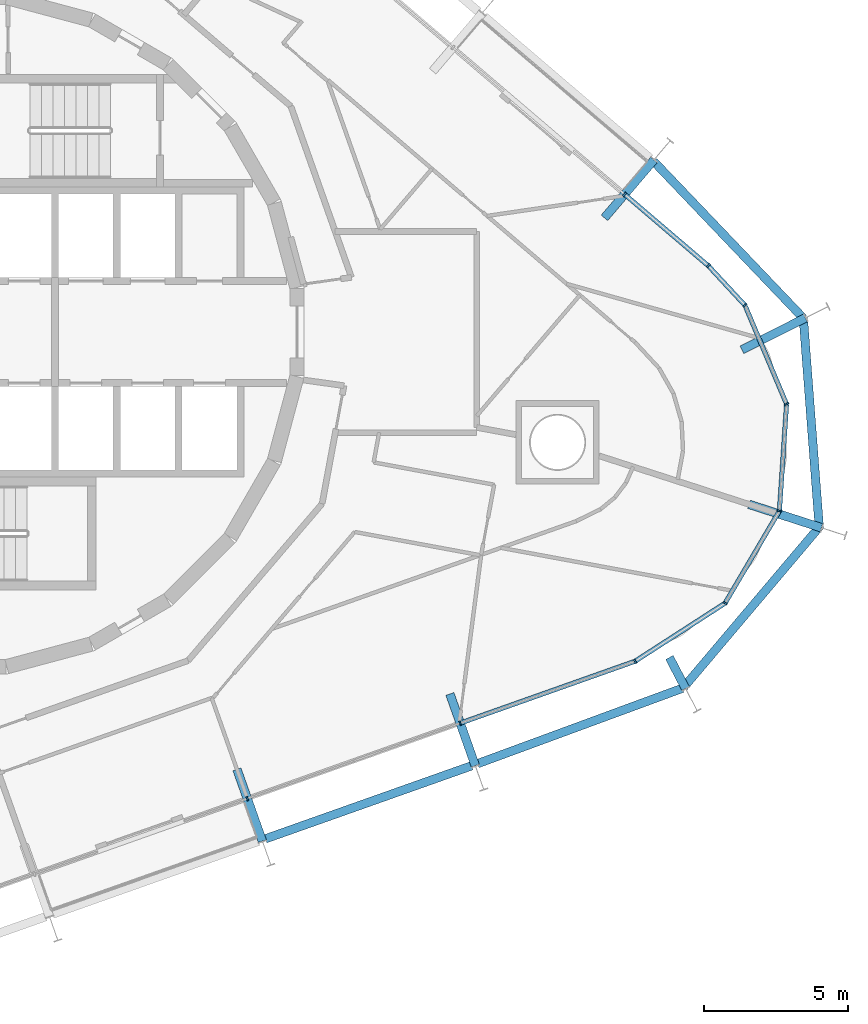
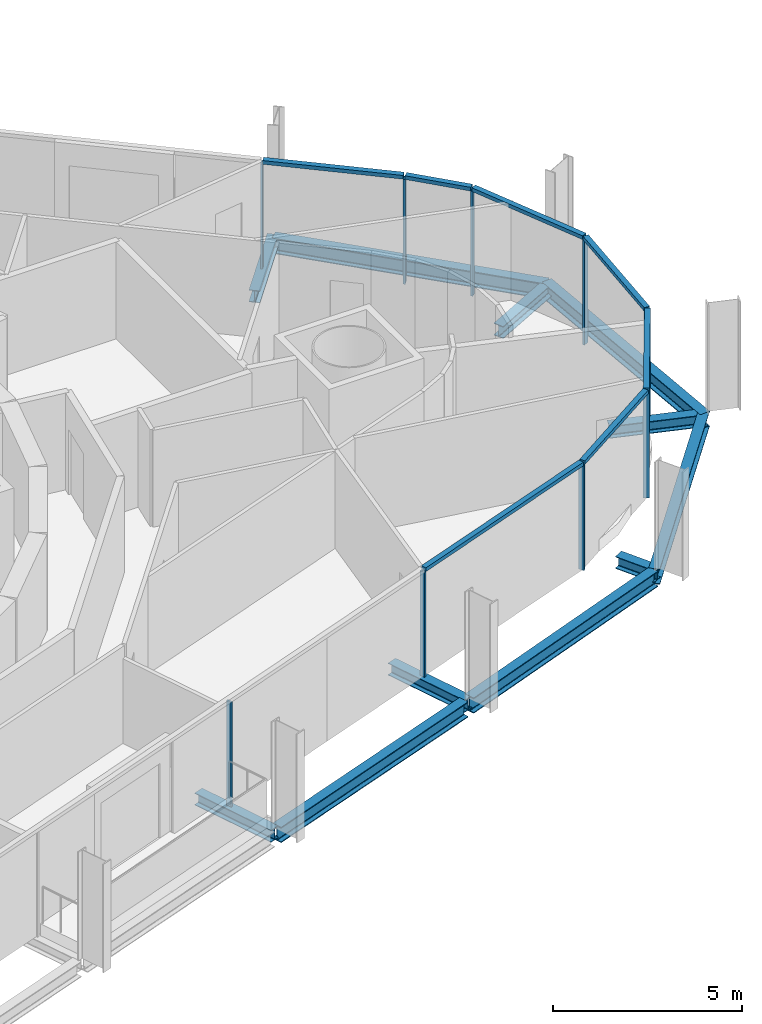
# One storey, part 5 of 17: 16 members, 11 beams, 3 elements without a shape of their own.
"""IFC4 building model written with IfcOpenShell, lengths in metres."""

from ifc_helpers import new_model, si_unit, direction, frame, origin, origin_2d, place, context, subcontext, project, spatial, rectangle, i_section, extrude, material, layer, layer_set, material_profile, profile_set, type_object, element, aggregate, save


model = new_model("IFC4")

# Units and contexts
model_context = context("Model", 3, precision=1e-05, world=origin(), true_north=direction((0.0, 1.0)))
body_context = subcontext(model_context, "Body", "Model", "MODEL_VIEW")
ifc_project = project(units=[si_unit("LENGTHUNIT", "METRE"), si_unit("AREAUNIT", "SQUARE_METRE"), si_unit("VOLUMEUNIT", "CUBIC_METRE"), si_unit("PLANEANGLEUNIT", "RADIAN"), si_unit("MASSUNIT", "GRAM", prefix="KILO")], contexts=[model_context])

# Site, building, storey
site_placement = place(None, origin())
site = spatial("IfcSite", under=ifc_project, at=site_placement, CompositionType="ELEMENT")
building_placement = place(site_placement, origin())
building = spatial("IfcBuilding", under=site, at=building_placement, Name="Spindle Arch Residences", CompositionType="ELEMENT")
storey_placement = place(building_placement, frame((0.0, 0.0, 176.199951171875)))
storey = spatial("IfcBuildingStorey", under=building, at=storey_placement, Name="L44", CompositionType="ELEMENT", Elevation=176.199951171875)

# Curtain wall, members
ifc_material_1 = material(Name="Aluminium bronze unitised frame with tinted glass", Category="aluminium")
ifc_layer_1 = layer(ifc_material_1, 0.159912109375)
ifc_layer_set_1 = layer_set([ifc_layer_1], Name="CW-D corner wall on the fillet arcs")
curtain_wall_type_1 = type_object("IfcCurtainWallType", Name="CW-D corner wall on the fillet arcs", PredefinedType="NOTDEFINED", material=ifc_layer_set_1)
curtain_wall_1_placement = place(storey_placement, origin())
curtain_wall_1 = element("IfcCurtainWall", 1, at=curtain_wall_1_placement, inside=storey, type_object=curtain_wall_type_1, Name="CW-D L44 run 1", PredefinedType="NOTDEFINED")
ifc_material_2 = material(Name="Aluminium bronze anodised mullion", Category="aluminium")
ifc_material_profile_1 = material_profile(ifc_material_2, rectangle(XDim=0.159912109375, YDim=0.06005859375, at=origin_2d()), Name="MU 60x160")
ifc_profile_set_1 = profile_set([ifc_material_profile_1], Name="Aluminium bronze anodised mullion")
member_type_1 = type_object("IfcMemberType", Name="Bronze mullion 60x160", PredefinedType="MULLION", material=ifc_profile_set_1)
member_1_placement = place(storey_placement, frame((17.326904296875, -13.609619140625, -0.3798828125), z_axis=(0.0, 0.0, 1.0), x_axis=(-0.333806859234, 0.942641491092, 0.0)))
member_1 = element("IfcMember", 2, at=member_1_placement, type_object=member_type_1, Name="CW-D mullion 00", PredefinedType="MULLION", context=body_context, shape_type="SweptSolid", body=[
    extrude(rectangle(XDim=0.159912109375, YDim=0.06005859375, at=origin_2d()), origin(), (0.0, 0.0, 1.0), 3.3798828125),
])
member_2_placement = place(storey_placement, frame((23.410400390625, -11.45556640625, -0.3798828125), z_axis=(0.0, 0.0, 1.0), x_axis=(-0.542197137778, 0.840251309898, 0.0)))
member_2 = element("IfcMember", 3, at=member_2_placement, type_object=member_type_1, Name="CW-D mullion 01", PredefinedType="MULLION", context=body_context, shape_type="SweptSolid", body=[
    extrude(rectangle(XDim=0.159912109375, YDim=0.06005859375, at=origin_2d()), origin(), (0.0, 0.0, 1.0), 3.3798828125),
])
member_3_placement = place(storey_placement, frame((26.541748046875, -9.434814453125, -0.3798828125), z_axis=(0.0, 0.0, 1.0), x_axis=(-0.86162915882, 0.507538365713, 0.0)))
member_3 = element("IfcMember", 4, at=member_3_placement, type_object=member_type_1, Name="CW-D mullion 02", PredefinedType="MULLION", context=body_context, shape_type="SweptSolid", body=[
    extrude(rectangle(XDim=0.159912109375, YDim=0.06005859375, at=origin_2d()), origin(), (0.0, 0.0, 1.0), 3.3798828125),
])
member_4_placement = place(storey_placement, frame((28.43310546875, -6.223876953125, -0.3798828125), z_axis=(0.0, 0.0, 1.0), x_axis=(-0.997762742461, 0.066854392204, 0.0)))
member_4 = element("IfcMember", 5, at=member_4_placement, type_object=member_type_1, Name="CW-D mullion 03", PredefinedType="MULLION", context=body_context, shape_type="SweptSolid", body=[
    extrude(rectangle(XDim=0.159912109375, YDim=0.06005859375, at=origin_2d()), origin(), (0.0, 0.0, 1.0), 3.3798828125),
])
member_5_placement = place(storey_placement, frame((28.682373046875, -2.50537109375, -0.3798828125), z_axis=(0.0, 0.0, 1.0), x_axis=(-0.921637549195, -0.388051836633, 0.0)))
member_5 = element("IfcMember", 6, at=member_5_placement, type_object=member_type_1, Name="CW-D mullion 04", PredefinedType="MULLION", context=body_context, shape_type="SweptSolid", body=[
    extrude(rectangle(XDim=0.159912109375, YDim=0.06005859375, at=origin_2d()), origin(), (0.0, 0.0, 1.0), 3.3798828125),
])
member_6_placement = place(storey_placement, frame((27.236083984375, 0.929443359375, -0.3798828125), z_axis=(0.0, 0.0, 1.0), x_axis=(-0.733334455983, -0.679868057543, 0.0)))
member_6 = element("IfcMember", 7, at=member_6_placement, type_object=member_type_1, Name="CW-D mullion 05", PredefinedType="MULLION", context=body_context, shape_type="SweptSolid", body=[
    extrude(rectangle(XDim=0.159912109375, YDim=0.06005859375, at=origin_2d()), origin(), (0.0, 0.0, 1.0), 3.3798828125),
])
member_7_placement = place(storey_placement, frame((25.960693359375, 2.30517578125, -0.3798828125), z_axis=(0.0, 0.0, 1.0), x_axis=(-0.64944804833, -0.7604059656, 0.0)))
member_7 = element("IfcMember", 8, at=member_7_placement, type_object=member_type_1, Name="CW-D mullion 06", PredefinedType="MULLION", context=body_context, shape_type="SweptSolid", body=[
    extrude(rectangle(XDim=0.159912109375, YDim=0.06005859375, at=origin_2d()), origin(), (0.0, 0.0, 1.0), 3.3798828125),
])

# Curtain wall, member
ifc_material_3 = material(Name="Aluminium bronze unitised frame with tinted glass", Category="aluminium")
ifc_layer_2 = layer(ifc_material_3, 0.159912109375)
ifc_layer_set_2 = layer_set([ifc_layer_2], Name="CW-C typical residential unitised wall")
curtain_wall_type_2 = type_object("IfcCurtainWallType", Name="CW-C typical residential unitised wall", PredefinedType="NOTDEFINED", material=ifc_layer_set_2)
curtain_wall_2_placement = place(storey_placement, origin())
curtain_wall_2 = element("IfcCurtainWall", 9, at=curtain_wall_2_placement, inside=storey, type_object=curtain_wall_type_2, Name="CW-C L44 run 2", PredefinedType="NOTDEFINED")
member_8_placement = place(storey_placement, frame((23.045654296875, 4.794677734375, -0.3798828125), z_axis=(0.0, 0.0, 1.0), x_axis=(-0.64944804833, -0.7604059656, 0.0)))
member_8 = element("IfcMember", 10, at=member_8_placement, type_object=member_type_1, Name="CW-C mullion 05", PredefinedType="MULLION", context=body_context, shape_type="SweptSolid", body=[
    extrude(rectangle(XDim=0.159912109375, YDim=0.06005859375, at=origin_2d()), origin(), (0.0, 0.0, 1.0), 3.3798828125),
])
aggregate(curtain_wall_2, [member_8])

curtain_wall_3_placement = place(storey_placement, origin())
curtain_wall_3 = element("IfcCurtainWall", 11, at=curtain_wall_3_placement, inside=storey, type_object=curtain_wall_type_2, Name="CW-C L44 run 6", PredefinedType="NOTDEFINED")
member_9_placement = place(storey_placement, frame((9.917724609375, -16.2333984375, -0.3798828125), z_axis=(0.0, 0.0, 1.0), x_axis=(-0.333806859234, 0.942641491092, 0.0)))
member_9 = element("IfcMember", 12, at=member_9_placement, type_object=member_type_1, Name="CW-C mullion 00", PredefinedType="MULLION", context=body_context, shape_type="SweptSolid", body=[
    extrude(rectangle(XDim=0.159912109375, YDim=0.06005859375, at=origin_2d()), origin(), (0.0, 0.0, 1.0), 3.3798828125),
])
aggregate(curtain_wall_3, [member_9])

# Member
ifc_material_4 = material(Name="Aluminium bronze anodised transom", Category="aluminium")
ifc_material_profile_2 = material_profile(ifc_material_4, rectangle(XDim=0.159912109375, YDim=0.1201171875, at=origin_2d()), Name="TR 120x160")
ifc_profile_set_2 = profile_set([ifc_material_profile_2], Name="Aluminium bronze anodised transom")
member_type_2 = type_object("IfcMemberType", Name="Bronze transom 120x160", PredefinedType="USERDEFINED", material=ifc_profile_set_2)
member_10_placement = place(storey_placement, frame((17.355224609375, -13.599609375, 3.06005859375), z_axis=(0.94265075566, 0.333780695748, 0.0), x_axis=(-0.333780695748, 0.94265075566, 0.0)))
member_10 = element("IfcMember", 13, at=member_10_placement, type_object=member_type_2, Name="CW-D transom 00", ObjectType="TRANSOM", PredefinedType="USERDEFINED", context=body_context, shape_type="SweptSolid", body=[
    extrude(rectangle(XDim=0.159912109375, YDim=0.1201171875, at=origin_2d()), origin(), (0.0, 0.0, 1.0), 6.3935546875),
])

member_11_placement = place(storey_placement, frame((23.435546875, -11.439208984375, 3.06005859375), z_axis=(0.840264358641, 0.542176915405, 0.0), x_axis=(-0.542176915405, 0.840264358641, 0.0)))
member_11 = element("IfcMember", 14, at=member_11_placement, type_object=member_type_2, Name="CW-D transom 01", ObjectType="TRANSOM", PredefinedType="USERDEFINED", context=body_context, shape_type="SweptSolid", body=[
    extrude(rectangle(XDim=0.159912109375, YDim=0.1201171875, at=origin_2d()), origin(), (0.0, 0.0, 1.0), 3.666748046875),
])

member_12_placement = place(storey_placement, frame((26.556884765625, -9.408935546875, 3.06005859375), z_axis=(0.507546689055, 0.861624255943, 0.0), x_axis=(-0.861624255943, 0.507546689055, 0.0)))
member_12 = element("IfcMember", 15, at=member_12_placement, type_object=member_type_2, Name="CW-D transom 02", ObjectType="TRANSOM", PredefinedType="USERDEFINED", context=body_context, shape_type="SweptSolid", body=[
    extrude(rectangle(XDim=0.159912109375, YDim=0.1201171875, at=origin_2d()), origin(), (0.0, 0.0, 1.0), 3.666748046875),
])

member_13_placement = place(storey_placement, frame((28.43505859375, -6.19384765625, 3.06005859375), z_axis=(0.066916740455, 0.997758562903, 0.0), x_axis=(-0.997758562903, 0.066916740455, 0.0)))
member_13 = element("IfcMember", 16, at=member_13_placement, type_object=member_type_2, Name="CW-D transom 03", ObjectType="TRANSOM", PredefinedType="USERDEFINED", context=body_context, shape_type="SweptSolid", body=[
    extrude(rectangle(XDim=0.159912109375, YDim=0.1201171875, at=origin_2d()), origin(), (0.0, 0.0, 1.0), 3.666748046875),
])

member_14_placement = place(storey_placement, frame((28.670654296875, -2.477783203125, 3.06005859375), z_axis=(-0.388045093438, 0.921640388361, 0.0), x_axis=(-0.921640388361, -0.388045093438, 0.0)))
member_14 = element("IfcMember", 17, at=member_14_placement, type_object=member_type_2, Name="CW-D transom 04", ObjectType="TRANSOM", PredefinedType="USERDEFINED", context=body_context, shape_type="SweptSolid", body=[
    extrude(rectangle(XDim=0.159912109375, YDim=0.1201171875, at=origin_2d()), origin(), (0.0, 0.0, 1.0), 3.666748046875),
])

member_15_placement = place(storey_placement, frame((27.2158203125, 0.951416015625, 3.06005859375), z_axis=(-0.679919851258, 0.733286435075, 0.0), x_axis=(-0.733286435075, -0.679919851258, 0.0)))
member_15 = element("IfcMember", 18, at=member_15_placement, type_object=member_type_2, Name="CW-D transom 05", ObjectType="TRANSOM", PredefinedType="USERDEFINED", context=body_context, shape_type="SweptSolid", body=[
    extrude(rectangle(XDim=0.159912109375, YDim=0.1201171875, at=origin_2d()), origin(), (0.0, 0.0, 1.0), 1.816162109375),
])

member_16_placement = place(storey_placement, frame((25.937744140625, 2.32470703125, 3.06005859375), z_axis=(-0.76037900371, 0.64947961532, 0.0), x_axis=(-0.64947961532, -0.76037900371, 0.0)))
member_16 = element("IfcMember", 19, at=member_16_placement, type_object=member_type_2, Name="CW-D transom 06", ObjectType="TRANSOM", PredefinedType="USERDEFINED", context=body_context, shape_type="SweptSolid", body=[
    extrude(rectangle(XDim=0.159912109375, YDim=0.1201171875, at=origin_2d()), origin(), (0.0, 0.0, 1.0), 3.773193359375),
])

aggregate(curtain_wall_1, [member_1, member_10, member_2, member_11, member_3, member_12, member_4, member_13, member_5, member_14, member_6, member_15, member_7, member_16])

# Beams
ifc_material_5 = material(Name="Steel S460ML, intumescent coating R 120", Category="steel")
ifc_material_profile_3 = material_profile(ifc_material_5, i_section(OverallWidth=0.300048828125, OverallDepth=0.5, WebThickness=0.014404296875, FlangeThickness=0.028076171875, FilletRadius=0.027099609375, at=origin_2d()), Name="HEB 500")
ifc_profile_set_3 = profile_set([ifc_material_profile_3], Name="Steel S460ML, intumescent coating R 120")
beam_type_1 = type_object("IfcBeamType", Name="Exoskeleton edge beam HEB 500", PredefinedType="BEAM", material=ifc_profile_set_3)
beam_1_placement = place(storey_placement, frame((10.551025390625, -17.63232421875, -0.6298828125), z_axis=(0.942633964352, 0.33382811333, 0.0), x_axis=(-0.33382811333, 0.942633964352, 0.0)))
element("IfcBeam", 20, at=beam_1_placement, inside=storey, type_object=beam_type_1, Name="Exoskeleton edge beam 1", PredefinedType="BEAM", context=body_context, shape_type="SweptSolid", body=[
    extrude(i_section(OverallWidth=0.300048828125, OverallDepth=0.5, WebThickness=0.014404296875, FlangeThickness=0.028076171875, FilletRadius=0.027099609375, at=origin_2d()), origin(), (0.0, 0.0, 1.0), 7.60009765625),
])
beam_2_placement = place(storey_placement, frame((17.927978515625, -15.01953125, -0.6298828125), z_axis=(0.938417721989, 0.345502791677, 0.0), x_axis=(-0.345502791677, 0.938417721989, 0.0)))
element("IfcBeam", 21, at=beam_2_placement, inside=storey, type_object=beam_type_1, Name="Exoskeleton edge beam 2", PredefinedType="BEAM", context=body_context, shape_type="SweptSolid", body=[
    extrude(i_section(OverallWidth=0.300048828125, OverallDepth=0.5, WebThickness=0.014404296875, FlangeThickness=0.028076171875, FilletRadius=0.027099609375, at=origin_2d()), origin(), (0.0, 0.0, 1.0), 7.59619140625),
])
for number, where, z_axis, x_axis, name in (
    (22, (25.08349609375, -12.3837890625, -0.6298828125), (0.645788487343, 0.763516358446, 0.0), (-0.763516358446, 0.645788487343, 0.0), "Exoskeleton edge beam 3"),
    (23, (29.823974609375, -6.856201171875, -0.6298828125), (-0.076078644635, 0.997101820192, 0.0), (-0.997101820192, -0.076078644635, 0.0), "Exoskeleton edge beam 4"),
):
    element("IfcBeam", number, at=place(storey_placement, frame(where, z_axis=z_axis, x_axis=x_axis)), inside=storey, type_object=beam_type_1, Name=name, PredefinedType="BEAM", context=body_context, shape_type="SweptSolid", body=[
        extrude(i_section(OverallWidth=0.300048828125, OverallDepth=0.5, WebThickness=0.014404296875, FlangeThickness=0.028076171875, FilletRadius=0.027099609375, at=origin_2d()), origin(), (0.0, 0.0, 1.0), 7.4033203125),
    ])
beam_3_placement = place(storey_placement, frame((29.263916015625, 0.484375, -0.6298828125), z_axis=(-0.690454167384, 0.72337614195, 0.0), x_axis=(-0.72337614195, -0.690454167384, 0.0)))
element("IfcBeam", 24, at=beam_3_placement, inside=storey, type_object=beam_type_1, Name="Exoskeleton edge beam 5", PredefinedType="BEAM", context=body_context, shape_type="SweptSolid", body=[
    extrude(i_section(OverallWidth=0.300048828125, OverallDepth=0.5, WebThickness=0.014404296875, FlangeThickness=0.028076171875, FilletRadius=0.027099609375, at=origin_2d()), origin(), (0.0, 0.0, 1.0), 7.534423828125),
])
ifc_material_6 = material(Name="Steel S460ML, intumescent coating R 120", Category="steel")
ifc_material_profile_4 = material_profile(ifc_material_6, i_section(OverallWidth=0.300048828125, OverallDepth=0.389892578125, WebThickness=0.010986328125, FlangeThickness=0.01904296875, FilletRadius=0.027099609375, at=origin_2d()), Name="HEA 400")
ifc_profile_set_4 = profile_set([ifc_material_profile_4], Name="Steel S460ML, intumescent coating R 120")
beam_type_2 = type_object("IfcBeamType", Name="Floor outrigger HEA 400", PredefinedType="BEAM", material=ifc_profile_set_4)
beam_4_placement = place(storey_placement, frame((10.44189453125, -17.71337890625, -0.574951171875), z_axis=(-0.333860785086, 0.942622393211, 0.0), x_axis=(-0.942622393211, -0.333860785086, 0.0)))
element("IfcBeam", 25, at=beam_4_placement, inside=storey, type_object=beam_type_2, Name="Floor outrigger 1", PredefinedType="BEAM", context=body_context, shape_type="SweptSolid", body=[
    extrude(i_section(OverallWidth=0.300048828125, OverallDepth=0.389892578125, WebThickness=0.010986328125, FlangeThickness=0.01904296875, FilletRadius=0.027099609375, at=origin_2d()), origin(), (0.0, 0.0, 1.0), 2.650146484375),
])
beam_5_placement = place(storey_placement, frame((17.85107421875, -15.089599609375, -0.574951171875), z_axis=(-0.333778924893, 0.942651382695, 0.0), x_axis=(-0.942651382695, -0.333778924893, 0.0)))
element("IfcBeam", 26, at=beam_5_placement, inside=storey, type_object=beam_type_2, Name="Floor outrigger 2", PredefinedType="BEAM", context=body_context, shape_type="SweptSolid", body=[
    extrude(i_section(OverallWidth=0.300048828125, OverallDepth=0.389892578125, WebThickness=0.010986328125, FlangeThickness=0.01904296875, FilletRadius=0.027099609375, at=origin_2d()), origin(), (0.0, 0.0, 1.0), 2.64990234375),
])
beam_6_placement = place(storey_placement, frame((25.166015625, -12.400146484375, -0.574951171875), z_axis=(-0.461536115739, 0.887121420026, 0.0), x_axis=(-0.887121420026, -0.461536115739, 0.0)))
element("IfcBeam", 27, at=beam_6_placement, inside=storey, type_object=beam_type_2, Name="Floor outrigger 3", PredefinedType="BEAM", context=body_context, shape_type="SweptSolid", body=[
    extrude(i_section(OverallWidth=0.300048828125, OverallDepth=0.389892578125, WebThickness=0.010986328125, FlangeThickness=0.01904296875, FilletRadius=0.027099609375, at=origin_2d()), origin(), (0.0, 0.0, 1.0), 1.215576171875),
])
beam_7_placement = place(storey_placement, frame((29.894287109375, -6.81005859375, -0.574951171875), z_axis=(-0.951419914018, 0.307896325424, 0.0), x_axis=(-0.307896325424, -0.951419914018, 0.0)))
element("IfcBeam", 28, at=beam_7_placement, inside=storey, type_object=beam_type_2, Name="Floor outrigger 4", PredefinedType="BEAM", context=body_context, shape_type="SweptSolid", body=[
    extrude(i_section(OverallWidth=0.300048828125, OverallDepth=0.389892578125, WebThickness=0.010986328125, FlangeThickness=0.01904296875, FilletRadius=0.027099609375, at=origin_2d()), origin(), (0.0, 0.0, 1.0), 2.64990234375),
])
beam_8_placement = place(storey_placement, frame((29.33740234375, 0.490478515625, -0.574951171875), z_axis=(-0.8937538876, -0.448557675668, 0.0), x_axis=(0.448557675668, -0.8937538876, 0.0)))
element("IfcBeam", 29, at=beam_8_placement, inside=storey, type_object=beam_type_2, Name="Floor outrigger 5", PredefinedType="BEAM", context=body_context, shape_type="SweptSolid", body=[
    extrude(i_section(OverallWidth=0.300048828125, OverallDepth=0.389892578125, WebThickness=0.010986328125, FlangeThickness=0.01904296875, FilletRadius=0.027099609375, at=origin_2d()), origin(), (0.0, 0.0, 1.0), 2.469482421875),
])
beam_9_placement = place(storey_placement, frame((24.065185546875, 5.988525390625, -0.574951171875), z_axis=(-0.64941704551, -0.760432443417, 0.0), x_axis=(0.760432443417, -0.64941704551, 0.0)))
element("IfcBeam", 30, at=beam_9_placement, inside=storey, type_object=beam_type_2, Name="Floor outrigger 6", PredefinedType="BEAM", context=body_context, shape_type="SweptSolid", body=[
    extrude(i_section(OverallWidth=0.300048828125, OverallDepth=0.389892578125, WebThickness=0.010986328125, FlangeThickness=0.01904296875, FilletRadius=0.027099609375, at=origin_2d()), origin(), (0.0, 0.0, 1.0), 2.64990234375),
])

save(model, "model.ifc")
